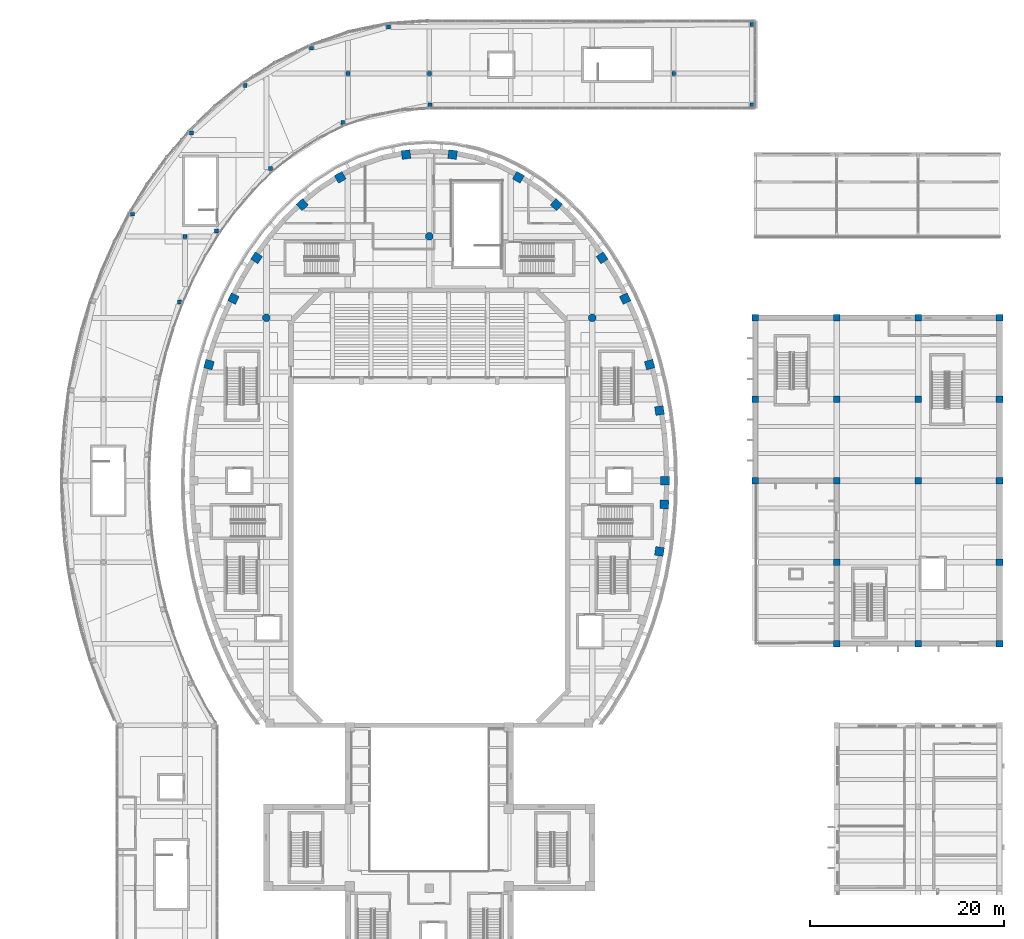
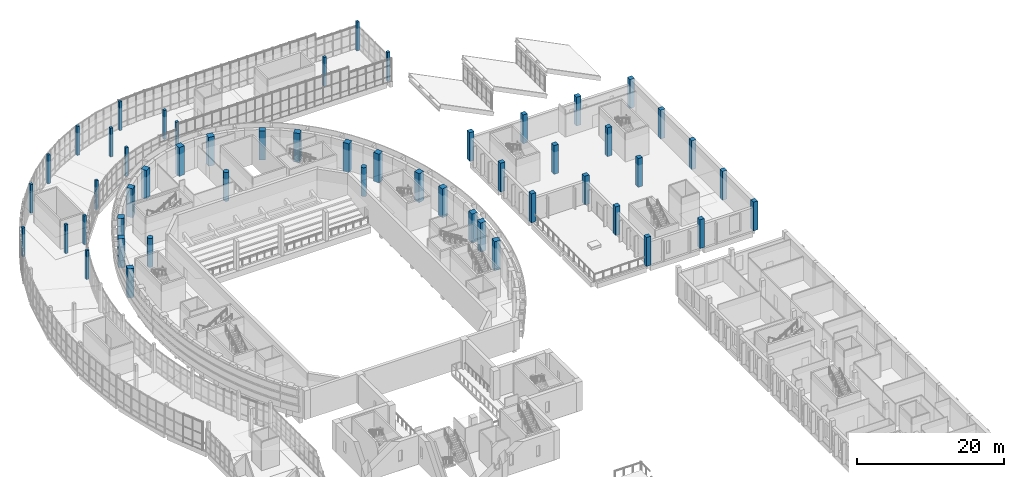
# One storey, part 2 of 103: 52 columns.
"""IFC4 building model written with IfcOpenShell, lengths in metres."""

from ifc_helpers import new_model, si_unit, direction, frame, origin, origin_2d, place, context, subcontext, project, spatial, rectangle, circle, extrude, material, material_profile, profile_set, type_object, element, save


model = new_model("IFC4")

# Units and contexts
model_context = context("Model", 3, precision=1e-05, world=origin(), true_north=direction((0.0, 1.0)))
body_context = subcontext(model_context, "Body", "Model", "MODEL_VIEW")
ifc_project = project(units=[si_unit("LENGTHUNIT", "METRE"), si_unit("AREAUNIT", "SQUARE_METRE"), si_unit("VOLUMEUNIT", "CUBIC_METRE"), si_unit("PLANEANGLEUNIT", "RADIAN"), si_unit("MASSUNIT", "GRAM", prefix="KILO")], contexts=[model_context])

# Site, building, storey
site_placement = place(None, origin())
site = spatial("IfcSite", under=ifc_project, at=site_placement, CompositionType="ELEMENT")
building_placement = place(site_placement, origin())
building = spatial("IfcBuilding", under=site, at=building_placement, Name="Larchfold Concert Hall", CompositionType="ELEMENT")
storey_placement = place(building_placement, frame((0.0, 0.0, 9.60009765625)))
storey = spatial("IfcBuildingStorey", under=building, at=storey_placement, Name="L02", CompositionType="ELEMENT", Elevation=9.60009765625)

# Columns
ifc_material_1 = material(Name="Concrete C35/45", Category="concrete")
ifc_material_profile_1 = material_profile(ifc_material_1, rectangle(XDim=0.39990234375, YDim=0.39990234375, at=origin_2d()))
ifc_profile_set_1 = profile_set([ifc_material_profile_1], Name="Concrete C35/45")
column_type_1 = type_object("IfcColumnType", Name="Column RC 400x400", PredefinedType="COLUMN", material=ifc_profile_set_1)
for number, where, z_axis, x_axis, name in (
    (1, (11.992919921875, 112.075927734375, 0.0), (0.0, 0.0, 1.0), (1.0, 0.0, 0.0), "Column C0095"),
    (2, (18.096923828125, 120.445068359375, 0.0), (0.0, 0.0, 1.0), (1.0, 0.0, 0.0), "Column C0096"),
    (3, (23.62109375, 125.341064453125, 0.0), (0.0, 0.0, 1.0), (1.0, 0.0, 0.0), "Column C0097"),
    (4, (30.443115234375, 129.197998046875, 0.0), (0.0, 0.0, 1.0), (1.0, 0.0, 0.0), "Column C0098"),
    (5, (38.39208984375, 131.39111328125, 0.0), (0.0, 0.0, 1.0), (1.0, 0.0, 0.0), "Column C0099"),
    (6, (75.85009765625, 131.64990234375, 0.0), (0.0, 0.0, 1.0), (1.0, 0.0, 0.0), "Column C0100"),
    (7, (75.85009765625, 123.35009765625, 0.0), (0.0, 0.0, 1.0), (1.0, 0.0, 0.0), "Column C0101"),
    (8, (42.68408203125, 123.35009765625, 0.0), (0.0, 0.0, 1.0), (1.0, 0.0, 0.0), "Column C0102"),
    (9, (33.676025390625, 121.534912109375, 0.0), (0.0, 0.0, 1.0), (1.0, 0.0, 0.0), "Column C0103"),
    (10, (26.22900390625, 116.785888671875, 0.0), (0.0, 0.0, 1.0), (1.0, 0.0, 0.0), "Column C0104"),
    (11, (20.677978515625, 110.35107421875, 0.0), (0.0, 0.0, 1.0), (1.0, 0.0, 0.0), "Column C0105"),
    (12, (16.8359375, 103.0380859375, 0.0), (0.0, 0.0, 1.0), (1.0, 0.0, 0.0), "Column C0106"),
    (13, (17.39990234375, 109.800048828125, 0.0), (0.0, 0.0, 1.0), (1.0, 0.0, 0.0), "Column C0115"),
    (14, (34.199951171875, 126.60009765625, 0.0), (0.0, 0.0, 1.0), (1.0, 0.0, 0.0), "Column C0116"),
    (15, (42.60009765625, 126.60009765625, 0.0), (0.0, 0.0, 1.0), (1.0, 0.0, 0.0), "Column C0117"),
    (16, (67.800048828125, 126.60009765625, 0.0), (0.0, 0.0, 1.0), (1.0, 0.0, 0.0), "Column C0118"),
):
    element("IfcColumn", number, at=place(storey_placement, frame(where, z_axis=z_axis, x_axis=x_axis)), inside=storey, type_object=column_type_1, Name=name, PredefinedType="COLUMN", context=body_context, shape_type="SweptSolid", body=[
        extrude(rectangle(XDim=0.39990234375, YDim=0.39990234375, at=origin_2d()), origin(), (0.0, 0.0, 1.0), 4.7998046875),
    ])
ifc_material_2 = material(Name="Concrete C35/45", Category="concrete")
ifc_material_profile_2 = material_profile(ifc_material_2, rectangle(XDim=0.699951171875, YDim=0.699951171875, at=origin_2d()))
ifc_profile_set_2 = profile_set([ifc_material_profile_2], Name="Concrete C35/45")
column_type_2 = type_object("IfcColumnType", Name="Column RC 700x700", PredefinedType="COLUMN", material=ifc_profile_set_2)
for number, where, z_axis, x_axis, name in (
    (17, (76.199951171875, 84.60009765625, 0.0), (0.0, 0.0, 1.0), (1.0, 0.0, 0.0), "Column C0052"),
    (18, (76.199951171875, 93.0, 0.0), (0.0, 0.0, 1.0), (1.0, 0.0, 0.0), "Column C0053"),
    (19, (76.199951171875, 101.39990234375, 0.0), (0.0, 0.0, 1.0), (1.0, 0.0, 0.0), "Column C0054"),
    (20, (84.60009765625, 67.800048828125, 0.0), (0.0, 0.0, 1.0), (1.0, 0.0, 0.0), "Column C0055"),
    (21, (84.60009765625, 76.199951171875, 0.0), (0.0, 0.0, 1.0), (1.0, 0.0, 0.0), "Column C0056"),
    (22, (84.60009765625, 84.60009765625, 0.0), (0.0, 0.0, 1.0), (1.0, 0.0, 0.0), "Column C0057"),
    (23, (84.60009765625, 93.0, 0.0), (0.0, 0.0, 1.0), (1.0, 0.0, 0.0), "Column C0058"),
    (24, (84.60009765625, 101.39990234375, 0.0), (0.0, 0.0, 1.0), (1.0, 0.0, 0.0), "Column C0059"),
    (25, (93.0, 67.800048828125, 0.0), (0.0, 0.0, 1.0), (1.0, 0.0, 0.0), "Column C0060"),
    (26, (93.0, 84.60009765625, 0.0), (0.0, 0.0, 1.0), (1.0, 0.0, 0.0), "Column C0061"),
    (27, (93.0, 93.0, 0.0), (0.0, 0.0, 1.0), (1.0, 0.0, 0.0), "Column C0062"),
    (28, (93.0, 101.39990234375, 0.0), (0.0, 0.0, 1.0), (1.0, 0.0, 0.0), "Column C0063"),
    (29, (101.39990234375, 67.800048828125, 0.0), (0.0, 0.0, 1.0), (1.0, 0.0, 0.0), "Column C0064"),
    (30, (101.39990234375, 76.199951171875, 0.0), (0.0, 0.0, 1.0), (1.0, 0.0, 0.0), "Column C0065"),
    (31, (101.39990234375, 84.60009765625, 0.0), (0.0, 0.0, 1.0), (1.0, 0.0, 0.0), "Column C0066"),
    (32, (101.39990234375, 93.0, 0.0), (0.0, 0.0, 1.0), (1.0, 0.0, 0.0), "Column C0067"),
    (33, (101.39990234375, 101.39990234375, 0.0), (0.0, 0.0, 1.0), (1.0, 0.0, 0.0), "Column C0068"),
):
    element("IfcColumn", number, at=place(storey_placement, frame(where, z_axis=z_axis, x_axis=x_axis)), inside=storey, type_object=column_type_2, Name=name, PredefinedType="COLUMN", context=body_context, shape_type="SweptSolid", body=[
        extrude(rectangle(XDim=0.699951171875, YDim=0.699951171875, at=origin_2d()), origin(), (0.0, 0.0, 1.0), 4.7998046875),
    ])
ifc_material_3 = material(Name="Concrete C35/45", Category="concrete")
ifc_material_profile_3 = material_profile(ifc_material_3, rectangle(XDim=0.89990234375, YDim=0.89990234375, at=origin_2d()))
ifc_profile_set_3 = profile_set([ifc_material_profile_3], Name="Concrete C35/45")
column_type_3 = type_object("IfcColumnType", Name="Column RC 900x900", PredefinedType="COLUMN", material=ifc_profile_set_3)
for number, where, z_axis, x_axis, name in (
    (34, (66.900146484375, 84.60009765625, 0.0), (0.0, 0.0, 1.0), (0.999999999998, 2.069699e-06, 0.0), "Column C9001"),
    (35, (66.33544921875, 91.841796875, 0.0), (0.0, 0.0, 1.0), (0.987778077668, 0.155866831876, 0.0), "Column C9002"),
    (36, (65.322021484375, 96.578857421875, 0.0), (0.0, 0.0, 1.0), (0.964788079418, 0.263028442973, 0.0), "Column C9003"),
    (37, (62.800537109375, 103.382568359375, 0.0), (0.0, 0.0, 1.0), (0.901263073046, 0.433272285247, 0.0), "Column C9004"),
    (38, (60.411865234375, 107.587646484375, 0.0), (0.0, 0.0, 1.0), (0.831867887413, 0.55497370919, 0.0), "Column C9005"),
    (39, (55.694580078125, 113.069580078125, 0.0), (0.0, 0.0, 1.0), (0.664881649498, 0.746948721239, 0.0), "Column C9006"),
    (40, (51.788330078125, 115.888916015625, 0.0), (0.0, 0.0, 1.0), (0.494204498977, 0.869345681068, 0.0), "Column C9007"),
    (41, (44.999267578125, 118.23486328125, 0.0), (0.0, 0.0, 1.0), (0.13683054479, 0.990594468999, 0.0), "Column C9008"),
    (42, (40.200927734375, 118.23486328125, 0.0), (0.0, 0.0, 1.0), (0.990595961709, 0.136819737776, 0.0), "Column C9009"),
    (43, (33.411865234375, 115.888916015625, 0.0), (0.0, 0.0, 1.0), (0.869350146356, 0.49419664409, 0.0), "Column C9010"),
    (44, (29.505615234375, 113.069580078125, 0.0), (0.0, 0.0, 1.0), (0.746953596831, 0.664876172066, 0.0), "Column C9011"),
    (45, (24.788330078125, 107.587646484375, 0.0), (0.0, 0.0, 1.0), (0.554977881431, 0.831865103922, 0.0), "Column C9012"),
    (46, (22.399658203125, 103.382568359375, 0.0), (0.0, 0.0, 1.0), (0.433275657946, 0.901261451651, 0.0), "Column C9013"),
    (47, (19.878173828125, 96.578857421875, 0.0), (0.0, 0.0, 1.0), (0.263030529779, 0.964787510493, 0.0), "Column C9014"),
    (48, (66.328369140625, 77.3134765625, 0.0), (0.0, 0.0, 1.0), (0.156847117791, 0.987622894449, 0.0), "Column C9025"),
    (49, (66.8369140625, 82.162353515625, 0.0), (0.0, 0.0, 1.0), (0.051949743743, 0.998649700408, 0.0), "Column C9026"),
):
    element("IfcColumn", number, at=place(storey_placement, frame(where, z_axis=z_axis, x_axis=x_axis)), inside=storey, type_object=column_type_3, Name=name, PredefinedType="COLUMN", context=body_context, shape_type="SweptSolid", body=[
        extrude(rectangle(XDim=0.89990234375, YDim=0.89990234375, at=origin_2d()), origin(), (0.0, 0.0, 1.0), 4.7998046875),
    ])
ifc_material_4 = material(Name="Concrete C35/45", Category="concrete")
ifc_material_profile_4 = material_profile(ifc_material_4, circle(Radius=0.39990234375, at=origin_2d()))
ifc_profile_set_4 = profile_set([ifc_material_profile_4], Name="Concrete C35/45")
column_type_4 = type_object("IfcColumnType", Name="Column RC D800", PredefinedType="COLUMN", material=ifc_profile_set_4)
for number, where, z_axis, x_axis, name in (
    (50, (25.800048828125, 101.39990234375, 0.0), (0.0, 0.0, 1.0), (1.0, 0.0, 0.0), "Column RC5814"),
    (51, (42.60009765625, 109.800048828125, 0.0), (0.0, 0.0, 1.0), (1.0, 0.0, 0.0), "Column RC2698"),
    (52, (59.39990234375, 101.39990234375, 0.0), (0.0, 0.0, 1.0), (1.0, 0.0, 0.0), "Column RC9414"),
):
    element("IfcColumn", number, at=place(storey_placement, frame(where, z_axis=z_axis, x_axis=x_axis)), inside=storey, type_object=column_type_4, Name=name, PredefinedType="COLUMN", context=body_context, shape_type="SweptSolid", body=[
        extrude(circle(Radius=0.39990234375, at=origin_2d()), origin(), (0.0, 0.0, 1.0), 4.7998046875),
    ])

save(model, "model.ifc")
